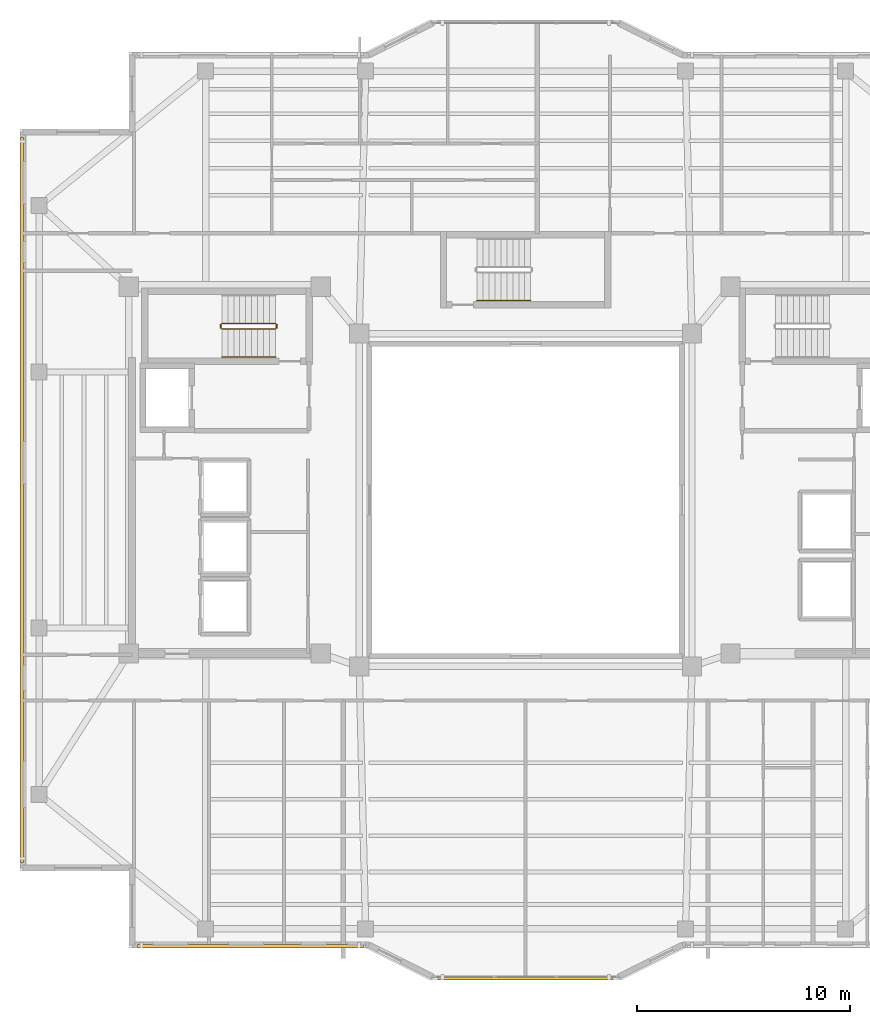
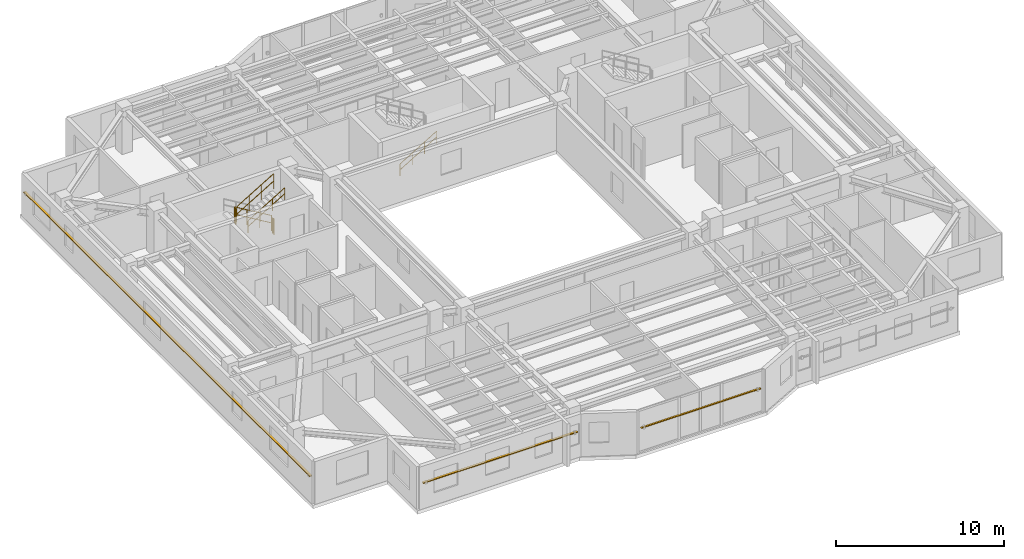
# One storey, part 11 of 13: 6 railings, 3 shading devices.
"""IFC4 building model written with IfcOpenShell, lengths in metres."""

import ifcopenshell
import ifcopenshell.guid

model = None  # the IFC model being written
_history = None  # IfcOwnerHistory: only IFC2X3 demands one
_inside = {}  # id of a spatial element -> (the spatial element, [elements in it])
_under = {}  # id of a project, library or spatial element -> (it, [spatial elements below it])
_declared = {}  # id of a project -> (the project, [libraries it declares])
_typed = {}  # id of a type object -> (the type object, [elements of that type])
_made_of = {}  # id of a material, layer set ... -> (it, [elements and type objects made of it])


def new_model(schema):
    """Start an empty IFC model of exactly this schema.

    Asked for "IFC4X3", IfcOpenShell would pick the latest addendum, in which some entities
    have other attributes; the version numbers below select the first issue.
    IFC2X3 requires an IfcOwnerHistory on every rooted entity: one is made here for all.
    """
    global model, _history
    if schema == "IFC4X3":
        model = ifcopenshell.file(schema_version=(4, 3, 0, 0))
    else:
        model = ifcopenshell.file(schema=schema)
    _inside.clear()
    _under.clear()
    _declared.clear()
    _typed.clear()
    _made_of.clear()
    _history = None
    if model.schema == "IFC2X3":
        org = make("IfcOrganization", Name="unknown")
        user = make(
            "IfcPersonAndOrganization",
            ThePerson=make("IfcPerson", FamilyName="unknown"),
            TheOrganization=org,
        )
        app = make(
            "IfcApplication",
            ApplicationDeveloper=org,
            Version="unknown",
            ApplicationFullName="unknown",
            ApplicationIdentifier="unknown",
        )
        _history = make(
            "IfcOwnerHistory",
            OwningUser=user,
            OwningApplication=app,
            ChangeAction="ADDED",
            CreationDate=0,
        )
    return model


def make(cls, **values):
    """One entity of the class cls with the attributes given. An attribute that is None is left unset."""
    return model.create_entity(
        cls, **{name: value for name, value in values.items() if value is not None}
    )


def rooted(cls, **values):
    """An entity with a GlobalId (a new one), such as an element, a storey or a relation."""
    return make(cls, GlobalId=ifcopenshell.guid.new(), OwnerHistory=_history, **values)


def si_unit(unit_type, name, prefix=None):
    """IfcSIUnit, for example si_unit("LENGTHUNIT", "METRE", prefix="MILLI")."""
    return make("IfcSIUnit", UnitType=unit_type, Prefix=prefix, Name=name)


def assignment(units):
    """IfcUnitAssignment: the units of a project."""
    return None if units is None else make("IfcUnitAssignment", Units=units)


def point(xyz):
    """IfcCartesianPoint."""
    return None if xyz is None else make("IfcCartesianPoint", Coordinates=xyz)


def direction(xyz):
    """IfcDirection."""
    return None if xyz is None else make("IfcDirection", DirectionRatios=xyz)


def frame(location, z_axis=None, x_axis=None):
    """IfcAxis2Placement3D, a coordinate frame: its origin and axes. An axis left out is left unset."""
    return make(
        "IfcAxis2Placement3D",
        Location=point(location),
        Axis=direction(z_axis),
        RefDirection=direction(x_axis),
    )


def frame_2d(location, x_axis=None):
    """IfcAxis2Placement2D, a coordinate frame in the plane: its origin and x axis."""
    return make(
        "IfcAxis2Placement2D", Location=point(location), RefDirection=direction(x_axis)
    )


def origin():
    """The frame at (0, 0, 0) with its axes left unset."""
    return frame((0.0, 0.0, 0.0))


def origin_2d():
    """The frame at (0, 0) in the plane with its x axis left unset."""
    return frame_2d((0.0, 0.0))


def place(relative_to, where):
    """IfcLocalPlacement: puts the frame where relative to a parent placement (None: the world)."""
    return make(
        "IfcLocalPlacement", PlacementRelTo=relative_to, RelativePlacement=where
    )


def context(
    kind, dimensions, precision=None, world=None, true_north=None, identifier=None
):
    """IfcGeometricRepresentationContext, for example the 3D "Model" context."""
    return make(
        "IfcGeometricRepresentationContext",
        ContextIdentifier=identifier,
        ContextType=kind,
        CoordinateSpaceDimension=dimensions,
        Precision=precision,
        WorldCoordinateSystem=world,
        TrueNorth=true_north,
    )


def subcontext(parent, identifier, kind, view, scale=None):
    """IfcGeometricRepresentationSubContext, for example "Body" below "Model"."""
    return make(
        "IfcGeometricRepresentationSubContext",
        ContextIdentifier=identifier,
        ContextType=kind,
        ParentContext=parent,
        TargetScale=scale,
        TargetView=view,
    )


def project(units=None, contexts=None):
    """IfcProject with its units and contexts."""
    return rooted(
        "IfcProject",
        Name="project",
        RepresentationContexts=contexts,
        UnitsInContext=assignment(units),
    )


def spatial(cls, under=None, at=None, **own):
    """A site, building, storey or space (cls), placed at a placement, below another one or the project."""
    s = rooted(cls, ObjectPlacement=at, **own)
    if under is not None:
        _under.setdefault(under.id(), (under, []))[1].append(s)
    return s


def profile(cls, at=None, kind="AREA", **sizes):
    """A parametric profile (cls). Its sizes go by their IFC names, for example OverallWidth=200.0."""
    return make(cls, ProfileType=kind, Position=at, **sizes)


def rectangle(**sizes):
    """IfcRectangleProfileDef."""
    return profile("IfcRectangleProfileDef", **sizes)


def circle(**sizes):
    """IfcCircleProfileDef."""
    return profile("IfcCircleProfileDef", **sizes)


def extrude(swept, where, along, depth):
    """IfcExtrudedAreaSolid: the profile swept, set in the frame where, extruded along a direction by depth."""
    return make(
        "IfcExtrudedAreaSolid",
        SweptArea=swept,
        Position=where,
        ExtrudedDirection=direction(along),
        Depth=depth,
    )


def shape(context_of_items, identifier, shape_type, items):
    """IfcShapeRepresentation: the items that make up one representation, for example the "Body"."""
    return make(
        "IfcShapeRepresentation",
        ContextOfItems=context_of_items,
        RepresentationIdentifier=identifier,
        RepresentationType=shape_type,
        Items=items,
    )


def material(Name=None, Category=None):
    """IfcMaterial."""
    return make("IfcMaterial", Name=Name, Category=Category)


def material_profile(
    of_material, cross_section, Name=None, Category=None, Priority=None
):
    """IfcMaterialProfile: a cross section and its material."""
    return make(
        "IfcMaterialProfile",
        Name=Name,
        Material=of_material,
        Profile=cross_section,
        Priority=Priority,
        Category=Category,
    )


def profile_set(profiles, Name=None, composite=None):
    """IfcMaterialProfileSet."""
    return make(
        "IfcMaterialProfileSet",
        Name=Name,
        MaterialProfiles=profiles,
        CompositeProfile=composite,
    )


def made_of(thing, what):
    """Note that an element or type object is made of a material, layer set ...; save() writes the relation."""
    if what is not None:
        _made_of.setdefault(what.id(), (what, []))[1].append(thing)
    return thing


def type_object(cls, material=None, **own):
    """A type object (cls), such as IfcWallType, which elements share."""
    return made_of(rooted(cls, **own), material)


def element(
    cls,
    number,
    at=None,
    inside=None,
    cuts=None,
    type_object=None,
    material=None,
    context=None,
    identifier="Body",
    shape_type=None,
    held_by="IfcProductDefinitionShape",
    body=None,
    shapes=None,
    **own,
):
    """One element of the class cls, such as IfcWall. Its Tag is "e" and its number.

    at: its placement. inside: the storey or other place that contains it. cuts: it is an
    opening in that element (IfcRelVoidsElement). A single representation is given by context,
    identifier, shape_type and body (its items); several are given by shapes. held_by: the class
    of the entity that holds the representations. save() writes the other relations.
    """
    e = rooted(cls, Tag="e%d" % number, ObjectPlacement=at, **own)
    if body is not None:
        shapes = [shape(context, identifier, shape_type, body)]
    if shapes is not None:
        e.Representation = make(held_by, Representations=shapes)
    if inside is not None:
        _inside.setdefault(inside.id(), (inside, []))[1].append(e)
    if cuts is not None:
        rooted(
            "IfcRelVoidsElement", RelatingBuildingElement=cuts, RelatedOpeningElement=e
        )
    if type_object is not None:
        _typed.setdefault(type_object.id(), (type_object, []))[1].append(e)
    return made_of(e, material)


def aggregate(whole, parts):
    """IfcRelAggregates: a whole, such as a stair, and the parts it consists of."""
    return rooted("IfcRelAggregates", RelatingObject=whole, RelatedObjects=parts)


def save(model, path):
    """Write the relations noted so far, then the file.

    IfcRelAggregates (storeys below a building ...), IfcRelContainedInSpatialStructure (elements
    in a storey), IfcRelDefinesByType, IfcRelAssociatesMaterial and IfcRelDeclares: one each for
    every whole, place, type object, material and project.
    """
    for whole, parts in _under.values():
        aggregate(whole, parts)
    for where, things in _inside.values():
        rooted(
            "IfcRelContainedInSpatialStructure",
            RelatedElements=things,
            RelatingStructure=where,
        )
    for kind, things in _typed.values():
        rooted("IfcRelDefinesByType", RelatedObjects=things, RelatingType=kind)
    for what, things in _made_of.values():
        rooted("IfcRelAssociatesMaterial", RelatedObjects=things, RelatingMaterial=what)
    for by, libraries in _declared.values():
        rooted("IfcRelDeclares", RelatingContext=by, RelatedDefinitions=libraries)
    model.write(path)


model = new_model("IFC4")

# Units and contexts
model_context = context("Model", 3, precision=1e-05, world=origin(), true_north=direction((0.0, 1.0)))
body_context = subcontext(model_context, "Body", "Model", "MODEL_VIEW")
ifc_project = project(units=[si_unit("LENGTHUNIT", "METRE"), si_unit("AREAUNIT", "SQUARE_METRE"), si_unit("VOLUMEUNIT", "CUBIC_METRE"), si_unit("PLANEANGLEUNIT", "RADIAN"), si_unit("MASSUNIT", "GRAM", prefix="KILO")], contexts=[model_context])

# Site, building, storey
site_placement = place(None, origin())
site = spatial("IfcSite", under=ifc_project, at=site_placement, CompositionType="ELEMENT")
building_placement = place(site_placement, origin())
building = spatial("IfcBuilding", under=site, at=building_placement, Name="Tarnavaz Court Tower", CompositionType="ELEMENT")
storey_placement = place(building_placement, frame((0.0, 0.0, 193.60009765625)))
storey = spatial("IfcBuildingStorey", under=building, at=storey_placement, Name="L52", CompositionType="ELEMENT", Elevation=193.60009765625)

# Railings
ifc_material_1 = material(Name="Brushed Stainless Steel", Category="steel")
railing_type_1 = type_object("IfcRailingType", Name="RL-HANDRAIL-900", PredefinedType="HANDRAIL", material=ifc_material_1)
railing_1_placement = place(storey_placement, frame((-14.239990234375, 6.699951171875, 1.84228515625)))
element("IfcRailing", 1, at=railing_1_placement, inside=storey, type_object=railing_type_1, Name="L52 ST-W1 stair handrail 2", PredefinedType="HANDRAIL", context=body_context, shape_type="SweptSolid", body=[
    extrude(circle(Radius=0.02392578125, at=origin_2d()), frame((0.0, 0.0, 0.8759765625), z_axis=(0.858159760407, 0.0, 0.513382728203), x_axis=(0.0, 1.0, 0.0)), (0.0, 0.0, 1.0), 2.9365234375),
    extrude(circle(Radius=0.02392578125, at=origin_2d()), frame((0.0, 0.0, 0.449951171875), z_axis=(0.858159760407, 0.0, 0.513382728203), x_axis=(0.0, 1.0, 0.0)), (0.0, 0.0, 1.0), 2.9365234375),
    extrude(circle(Radius=0.02099609375, at=origin_2d()), origin(), (0.0, 0.0, 1.0), 0.851806640625),
    extrude(circle(Radius=0.02099609375, at=origin_2d()), frame((0.840087890625, 0.0, 0.50244140625)), (0.0, 0.0, 1.0), 0.851806640625),
    extrude(circle(Radius=0.02099609375, at=origin_2d()), frame((1.679931640625, 0.0, 1.005126953125)), (0.0, 0.0, 1.0), 0.851806640625),
    extrude(circle(Radius=0.02099609375, at=origin_2d()), frame((2.52001953125, 0.0, 1.507568359375)), (0.0, 0.0, 1.0), 0.851806640625),
])
railing_2_placement = place(storey_placement, frame((-2.280029296875, 9.35009765625, 0.16748046875)))
element("IfcRailing", 2, at=railing_2_placement, inside=storey, type_object=railing_type_1, Name="L52 ST-N1 stair handrail 1", PredefinedType="HANDRAIL", context=body_context, shape_type="SweptSolid", body=[
    extrude(circle(Radius=0.02392578125, at=origin_2d()), frame((0.0, 0.0, 0.8759765625), z_axis=(0.858196387827, 0.0, 0.513321497621), x_axis=(0.0, 1.0, 0.0)), (0.0, 0.0, 1.0), 2.9365234375),
    extrude(circle(Radius=0.02392578125, at=origin_2d()), frame((0.0, 0.0, 0.449951171875), z_axis=(0.858196387827, 0.0, 0.513321497621), x_axis=(0.0, 1.0, 0.0)), (0.0, 0.0, 1.0), 2.9365234375),
    extrude(circle(Radius=0.02099609375, at=origin_2d()), origin(), (0.0, 0.0, 1.0), 0.851806640625),
    extrude(circle(Radius=0.02099609375, at=origin_2d()), frame((0.840087890625, 0.0, 0.50244140625)), (0.0, 0.0, 1.0), 0.851806640625),
    extrude(circle(Radius=0.02099609375, at=origin_2d()), frame((1.679931640625, 0.0, 1.0048828125)), (0.0, 0.0, 1.0), 0.851806640625),
    extrude(circle(Radius=0.02099609375, at=origin_2d()), frame((2.52001953125, 0.0, 1.50732421875)), (0.0, 0.0, 1.0), 0.851806640625),
])
ifc_material_2 = material(Name="Galvanized Painted Tubular Steel", Category="steel")
railing_type_2 = type_object("IfcRailingType", Name="RL-STGUARD-1120", PredefinedType="GUARDRAIL", material=ifc_material_2)
railing_3_placement = place(storey_placement, frame((-11.719970703125, 8.27001953125, 0.16748046875)))
element("IfcRailing", 3, at=railing_3_placement, inside=storey, type_object=railing_type_2, Name="L52 ST-W1 stair guard 1", PredefinedType="GUARDRAIL", context=body_context, shape_type="SweptSolid", body=[
    extrude(circle(Radius=0.02392578125, at=origin_2d()), frame((0.0, 0.0, 1.09619140625), z_axis=(-0.858196387827, 0.0, 0.513321497621), x_axis=(0.0, -1.0, 0.0)), (0.0, 0.0, 1.0), 2.9365234375),
    extrude(circle(Radius=0.02392578125, at=origin_2d()), frame((0.0, 0.0, 0.56005859375), z_axis=(-0.858196387827, 0.0, 0.513321497621), x_axis=(0.0, -1.0, 0.0)), (0.0, 0.0, 1.0), 2.9365234375),
    extrude(circle(Radius=0.02099609375, at=origin_2d()), origin(), (0.0, 0.0, 1.0), 1.072021484375),
    extrude(circle(Radius=0.02099609375, at=origin_2d()), frame((-0.840087890625, 0.0, 0.50244140625)), (0.0, 0.0, 1.0), 1.072021484375),
    extrude(circle(Radius=0.02099609375, at=origin_2d()), frame((-1.679931640625, 0.0, 1.0048828125)), (0.0, 0.0, 1.0), 1.072021484375),
    extrude(circle(Radius=0.02099609375, at=origin_2d()), frame((-2.52001953125, 0.0, 1.50732421875)), (0.0, 0.0, 1.0), 1.072021484375),
])
railing_4_placement = place(storey_placement, frame((-14.2900390625, 8.219970703125, 1.6748046875)))
element("IfcRailing", 4, at=railing_4_placement, inside=storey, type_object=railing_type_2, Name="L52 ST-W1 stair guard 2", PredefinedType="GUARDRAIL", context=body_context, shape_type="SweptSolid", body=[
    extrude(circle(Radius=0.02392578125, at=origin_2d()), frame((0.0, 0.0, 1.09619140625), z_axis=(0.0, -1.0, 0.0), x_axis=(1.0, 0.0, 0.0)), (0.0, 0.0, 1.0), 0.14990234375),
    extrude(circle(Radius=0.02392578125, at=origin_2d()), frame((0.0, 0.0, 0.56005859375), z_axis=(0.0, -1.0, 0.0), x_axis=(1.0, 0.0, 0.0)), (0.0, 0.0, 1.0), 0.14990234375),
    extrude(circle(Radius=0.02099609375, at=origin_2d()), origin(), (0.0, 0.0, 1.0), 1.072021484375),
    extrude(circle(Radius=0.02099609375, at=origin_2d()), frame((0.0, -0.14990234375, 0.0)), (0.0, 0.0, 1.0), 1.072021484375),
])
railing_5_placement = place(storey_placement, frame((-14.239990234375, 8.02001953125, 1.84228515625)))
element("IfcRailing", 5, at=railing_5_placement, inside=storey, type_object=railing_type_2, Name="L52 ST-W1 stair guard 3", PredefinedType="GUARDRAIL", context=body_context, shape_type="SweptSolid", body=[
    extrude(circle(Radius=0.02392578125, at=origin_2d()), frame((0.0, 0.0, 1.09619140625), z_axis=(0.858159760407, 0.0, 0.513382728203), x_axis=(0.0, 1.0, 0.0)), (0.0, 0.0, 1.0), 2.9365234375),
    extrude(circle(Radius=0.02392578125, at=origin_2d()), frame((0.0, 0.0, 0.56005859375), z_axis=(0.858159760407, 0.0, 0.513382728203), x_axis=(0.0, 1.0, 0.0)), (0.0, 0.0, 1.0), 2.9365234375),
    extrude(circle(Radius=0.02099609375, at=origin_2d()), origin(), (0.0, 0.0, 1.0), 1.072021484375),
    extrude(circle(Radius=0.02099609375, at=origin_2d()), frame((0.840087890625, 0.0, 0.50244140625)), (0.0, 0.0, 1.0), 1.072021484375),
    extrude(circle(Radius=0.02099609375, at=origin_2d()), frame((1.679931640625, 0.0, 1.005126953125)), (0.0, 0.0, 1.0), 1.072021484375),
    extrude(circle(Radius=0.02099609375, at=origin_2d()), frame((2.52001953125, 0.0, 1.507568359375)), (0.0, 0.0, 1.0), 1.072021484375),
])
railing_6_placement = place(storey_placement, frame((-11.669921875, 8.219970703125, 0.0)))
element("IfcRailing", 6, at=railing_6_placement, inside=storey, type_object=railing_type_2, Name="L52 ST-W1 stair guard 4", PredefinedType="GUARDRAIL", context=body_context, shape_type="SweptSolid", body=[
    extrude(circle(Radius=0.02392578125, at=origin_2d()), frame((0.0, 0.0, 1.09619140625), z_axis=(0.0, -1.0, 0.0), x_axis=(1.0, 0.0, 0.0)), (0.0, 0.0, 1.0), 0.14990234375),
    extrude(circle(Radius=0.02392578125, at=origin_2d()), frame((0.0, 0.0, 0.56005859375), z_axis=(0.0, -1.0, 0.0), x_axis=(1.0, 0.0, 0.0)), (0.0, 0.0, 1.0), 0.14990234375),
    extrude(circle(Radius=0.02099609375, at=origin_2d()), origin(), (0.0, 0.0, 1.0), 1.072021484375),
    extrude(circle(Radius=0.02099609375, at=origin_2d()), frame((0.0, -0.14990234375, 0.0)), (0.0, 0.0, 1.0), 1.072021484375),
])

# Shading devices
ifc_material_3 = material(Name="Kiln-Fired Khorasan Terracotta Ceramic", Category="masonry")
ifc_material_profile_1 = material_profile(ifc_material_3, rectangle(XDim=0.1201171875, YDim=0.06005859375, at=origin_2d()), Name="TC BAGUETTE 120X60")
ifc_profile_set_1 = profile_set([ifc_material_profile_1], Name="Kiln-Fired Khorasan Terracotta Ceramic")
shading_device_type_1 = type_object("IfcShadingDeviceType", Name="SD-BAG-120", PredefinedType="USERDEFINED", material=ifc_profile_set_1)
shading_device_1_placement = place(storey_placement, frame((4.10009765625, -22.409912109375, 1.7998046875), z_axis=(-1.0, 0.0, 0.0), x_axis=(0.0, -1.0, 0.0)))
element("IfcShadingDevice", 7, at=shading_device_1_placement, inside=storey, type_object=shading_device_type_1, Name="L52 Terracotta Baguette Screen PBG17", ObjectType="BAGUETTE", PredefinedType="USERDEFINED", context=body_context, shape_type="SweptSolid", body=[
    extrude(rectangle(XDim=0.1201171875, YDim=0.06005859375, at=origin_2d()), origin(), (0.0, 0.0, 1.0), 8.2001953125),
])
ifc_material_profile_2 = material_profile(ifc_material_3, rectangle(XDim=0.14990234375, YDim=0.06494140625, at=origin_2d()), Name="TC BAGUETTE 150X65")
ifc_profile_set_2 = profile_set([ifc_material_profile_2], Name="Kiln-Fired Khorasan Terracotta Ceramic")
shading_device_type_2 = type_object("IfcShadingDeviceType", Name="SD-BAG-150", PredefinedType="USERDEFINED", material=ifc_profile_set_2)
shading_device_2_placement = place(storey_placement, frame((-23.610107421875, -17.0, 1.849853515625), z_axis=(0.0, 1.0, 0.0), x_axis=(-1.0, 0.0, 0.0)))
element("IfcShadingDevice", 8, at=shading_device_2_placement, inside=storey, type_object=shading_device_type_2, Name="L52 Terracotta Baguette Screen FBG02", ObjectType="BAGUETTE", PredefinedType="USERDEFINED", context=body_context, shape_type="SweptSolid", body=[
    extrude(rectangle(XDim=0.14990234375, YDim=0.06494140625, at=origin_2d()), origin(), (0.0, 0.0, 1.0), 34.0),
])
shading_device_3_placement = place(storey_placement, frame((-7.60009765625, -20.909912109375, 1.849853515625), z_axis=(-1.0, 0.0, 0.0), x_axis=(0.0, -1.0, 0.0)))
element("IfcShadingDevice", 9, at=shading_device_3_placement, inside=storey, type_object=shading_device_type_2, Name="L52 Terracotta Baguette Screen FBG19", ObjectType="BAGUETTE", PredefinedType="USERDEFINED", context=body_context, shape_type="SweptSolid", body=[
    extrude(rectangle(XDim=0.14990234375, YDim=0.06494140625, at=origin_2d()), origin(), (0.0, 0.0, 1.0), 10.599853515625),
])

save(model, "model.ifc")
